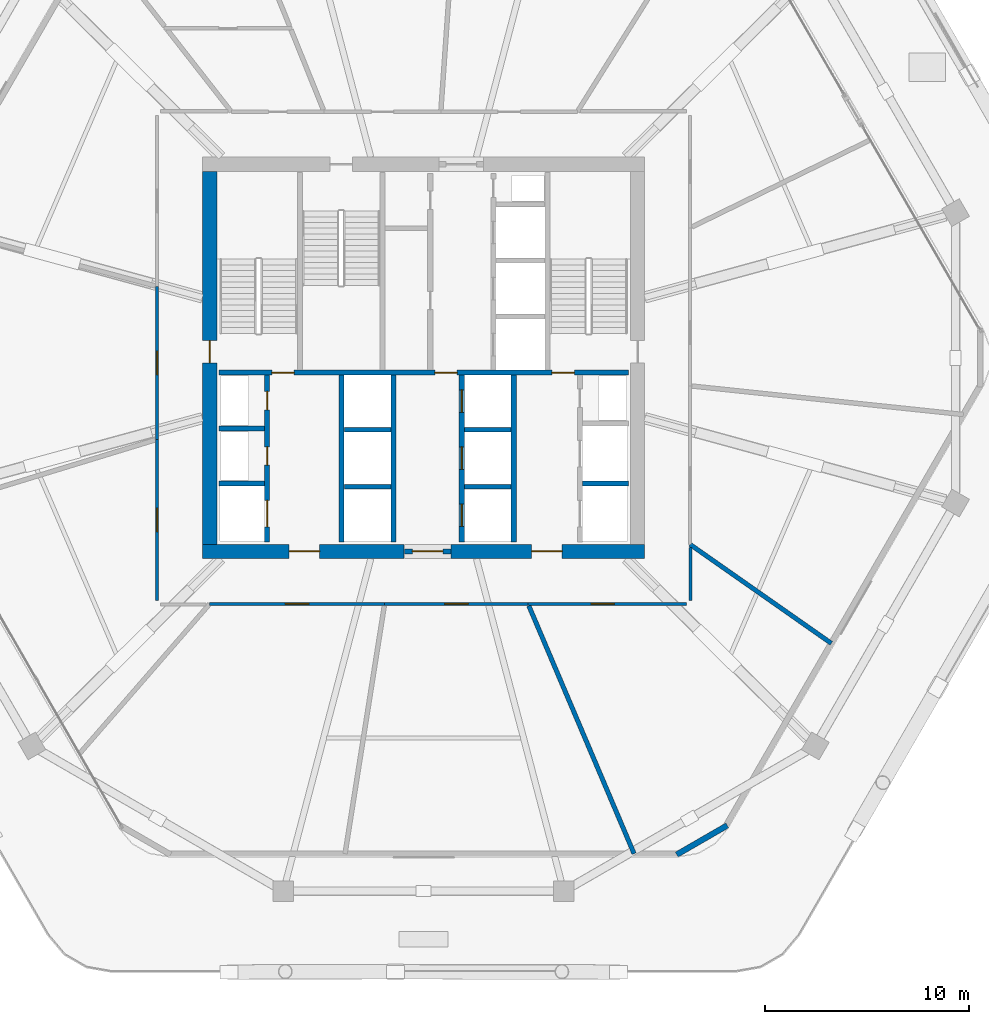
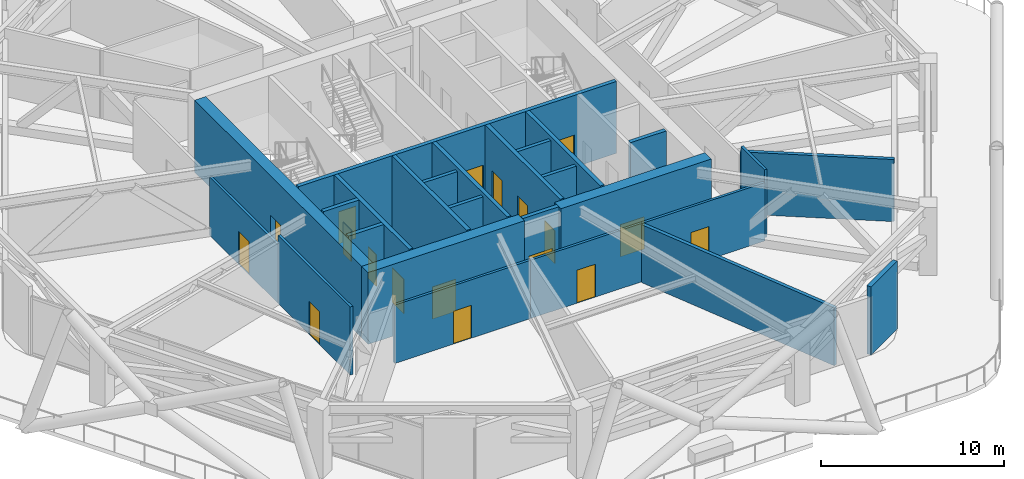
# One storey, part 13 of 20: 26 walls, 18 doors, 18 openings.
"""IFC4 building model written with IfcOpenShell, lengths in metres."""

from ifc_helpers import new_model, si_unit, direction, frame, frame_2d, origin, place, context, subcontext, project, spatial, rectangle, extrude, material, layer, layer_set, type_object, element, fill, save


model = new_model("IFC4")

# Units and contexts
model_context = context("Model", 3, precision=1e-05, world=origin(), true_north=direction((0.0, 1.0)))
body_context = subcontext(model_context, "Body", "Model", "MODEL_VIEW")
ifc_project = project(units=[si_unit("LENGTHUNIT", "METRE"), si_unit("AREAUNIT", "SQUARE_METRE"), si_unit("VOLUMEUNIT", "CUBIC_METRE"), si_unit("PLANEANGLEUNIT", "RADIAN"), si_unit("MASSUNIT", "GRAM", prefix="KILO")], contexts=[model_context])

# Site, building, storey
site_placement = place(None, origin())
site = spatial("IfcSite", under=ifc_project, at=site_placement, CompositionType="ELEMENT")
building_placement = place(site_placement, origin())
building = spatial("IfcBuilding", under=site, at=building_placement, Name="Zuhravey Tower", CompositionType="ELEMENT")
storey_placement = place(building_placement, frame((0.0, 0.0, 145.60009765625)))
storey = spatial("IfcBuildingStorey", under=building, at=storey_placement, Name="L36", CompositionType="ELEMENT", Elevation=145.60009765625)

# Wall, opening, door
ifc_material_1 = material(Name="Concrete C60/75", Category="concrete")
ifc_layer_1 = layer(ifc_material_1, 0.699951171875)
ifc_layer_set_1 = layer_set([ifc_layer_1], Name="Concrete C60/75")
wall_type_1 = type_object("IfcWallType", Name="Core Shear Wall 700", PredefinedType="SHEAR", material=ifc_layer_set_1)
wall_1_placement = place(storey_placement, frame((25.14990234375, 22.5, 0.0), z_axis=(0.0, 0.0, 1.0), x_axis=(1.0, 0.0, 0.0)))
wall_1 = element("IfcWall", 1, at=wall_1_placement, inside=storey, type_object=wall_type_1, Name="L36 South-West Core Shear Wall CW70", PredefinedType="SHEAR", context=body_context, shape_type="SweptSolid", body=[
    extrude(rectangle(XDim=9.900146484375, YDim=0.699951171875, at=frame_2d((4.9501953125, 0.0))), origin(), (0.0, 0.0, 1.0), 4.7998046875),
])
opening_1_placement = place(wall_1_placement, frame((4.25, 0.0, 0.0)))
opening_1 = element("IfcOpeningElement", 2, at=opening_1_placement, cuts=wall_1, Name="Opening FFD1", PredefinedType="OPENING", context=body_context, shape_type="SweptSolid", body=[
    extrude(rectangle(XDim=1.5, YDim=2.14990234375, at=frame_2d((0.75, 1.074951171875))), frame((0.0, 0.362060546875, 0.0), z_axis=(0.0, -1.0, 0.0), x_axis=(1.0, 0.0, 0.0)), (0.0, 0.0, 1.0), 0.723876953125),
])
ifc_material_2 = material(Name="Galvanised fire-rated steel leaf", Category="steel")
door_type_1 = type_object("IfcDoorType", Name="Firefighting Lobby Double Door 1500x2150", OperationType="DOUBLE_DOOR_SINGLE_SWING", PredefinedType="DOOR", material=ifc_material_2)
door_1_placement = place(opening_1_placement, origin())
door_1 = element("IfcDoor", 3, at=door_1_placement, inside=storey, type_object=door_type_1, Name="L36 Firefighting Lobby West Door", OperationType="DOUBLE_DOOR_SINGLE_SWING", OverallHeight=2.14990234375, OverallWidth=1.5, PredefinedType="DOOR", context=body_context, shape_type="SweptSolid", body=[
    extrude(rectangle(XDim=1.5, YDim=2.14990234375, at=frame_2d((0.75, 1.074951171875))), frame((0.0, 0.02490234375, 0.0), z_axis=(0.0, -1.0, 0.0), x_axis=(1.0, 0.0, 0.0)), (0.0, 0.0, 1.0), 0.050048828125),
])
fill(opening_1, door_1)

wall_2_placement = place(storey_placement, frame((37.35009765625, 22.5, 0.0), z_axis=(0.0, 0.0, 1.0), x_axis=(1.0, 0.0, 0.0)))
wall_2 = element("IfcWall", 4, at=wall_2_placement, inside=storey, type_object=wall_type_1, Name="L36 South-East Core Shear Wall CW70", PredefinedType="SHEAR", context=body_context, shape_type="SweptSolid", body=[
    extrude(rectangle(XDim=9.5, YDim=0.699951171875, at=frame_2d((4.75, 0.0))), origin(), (0.0, 0.0, 1.0), 4.7998046875),
])
opening_2_placement = place(wall_2_placement, frame((3.949951171875, 0.0, 0.0)))
opening_2 = element("IfcOpeningElement", 5, at=opening_2_placement, cuts=wall_2, Name="Opening FFD1", PredefinedType="OPENING", context=body_context, shape_type="SweptSolid", body=[
    extrude(rectangle(XDim=1.5, YDim=2.14990234375, at=frame_2d((0.75, 1.074951171875))), frame((0.0, 0.362060546875, 0.0), z_axis=(0.0, -1.0, 0.0), x_axis=(1.0, 0.0, 0.0)), (0.0, 0.0, 1.0), 0.723876953125),
])
door_2_placement = place(opening_2_placement, origin())
door_2 = element("IfcDoor", 6, at=door_2_placement, inside=storey, type_object=door_type_1, Name="L36 Firefighting Lobby East Door", OperationType="DOUBLE_DOOR_SINGLE_SWING", OverallHeight=2.14990234375, OverallWidth=1.5, PredefinedType="DOOR", context=body_context, shape_type="SweptSolid", body=[
    extrude(rectangle(XDim=1.5, YDim=2.14990234375, at=frame_2d((0.75, 1.074951171875))), frame((0.0, 0.02490234375, 0.0), z_axis=(0.0, -1.0, 0.0), x_axis=(1.0, 0.0, 0.0)), (0.0, 0.0, 1.0), 0.050048828125),
])
fill(opening_2, door_2)

wall_3_placement = place(storey_placement, frame((25.5, 22.85009765625, 0.0), z_axis=(0.0, 0.0, 1.0), x_axis=(0.0, 1.0, 0.0)))
wall_3 = element("IfcWall", 7, at=wall_3_placement, inside=storey, type_object=wall_type_1, Name="L36 West Core Shear Wall CW70", PredefinedType="SHEAR", context=body_context, shape_type="SweptSolid", body=[
    extrude(rectangle(XDim=18.2998046875, YDim=0.699951171875, at=frame_2d((9.14990234375, 0.0))), origin(), (0.0, 0.0, 1.0), 4.7998046875),
])
opening_3_placement = place(wall_3_placement, frame((8.89990234375, 0.0, 0.0)))
opening_3 = element("IfcOpeningElement", 8, at=opening_3_placement, cuts=wall_3, Name="Opening STD1", PredefinedType="OPENING", context=body_context, shape_type="SweptSolid", body=[
    extrude(rectangle(XDim=1.10009765625, YDim=2.14990234375, at=frame_2d((0.550048828125, 1.074951171875))), frame((0.0, 0.362060546875, 0.0), z_axis=(0.0, -1.0, 0.0), x_axis=(1.0, 0.0, 0.0)), (0.0, 0.0, 1.0), 0.723876953125),
])
door_type_2 = type_object("IfcDoorType", Name="Protected Stair Fire Door 1100x2150", OperationType="NOTDEFINED", PredefinedType="USERDEFINED", material=ifc_material_2)
door_3_placement = place(opening_3_placement, frame((1.10009765625, 0.0, 0.0), z_axis=(0.0, 0.0, 1.0), x_axis=(-1.0, 0.0, 0.0)))
door_3 = element("IfcDoor", 9, at=door_3_placement, inside=storey, type_object=door_type_2, Name="L36 Stair ST1 Door", ObjectType="EXITDOOR", OperationType="SINGLE_SWING_RIGHT", OverallHeight=2.14990234375, OverallWidth=1.10009765625, PredefinedType="USERDEFINED", context=body_context, shape_type="SweptSolid", body=[
    extrude(rectangle(XDim=1.10009765625, YDim=2.14990234375, at=frame_2d((0.550048828125, 1.074951171875))), frame((0.0, 0.02490234375, 0.0), z_axis=(0.0, -1.0, 0.0), x_axis=(1.0, 0.0, 0.0)), (0.0, 0.0, 1.0), 0.050048828125),
])
fill(opening_3, door_3)

ifc_material_3 = material(Name="Gypsum fire-rated stud partition")
ifc_layer_2 = layer(ifc_material_3, 0.159912109375)
ifc_layer_set_2 = layer_set([ifc_layer_2], Name="Gypsum fire-rated stud partition")
wall_type_2 = type_object("IfcWallType", Name="Corridor Fire Partition 160", PredefinedType="PARTITIONING", material=ifc_layer_set_2)
wall_4_placement = place(storey_placement, frame((22.919921875, 35.5048828125, 0.0), z_axis=(0.0, 0.0, 1.0), x_axis=(0.0, -1.0, 0.0)))
wall_4 = element("IfcWall", 10, at=wall_4_placement, inside=storey, type_object=wall_type_2, Name="L36 IW16 Partition 024", PredefinedType="PARTITIONING", context=body_context, shape_type="SweptSolid", body=[
    extrude(rectangle(XDim=7.50390625, YDim=0.159912109375, at=frame_2d((3.751953125, 0.0))), origin(), (0.0, 0.0, 1.0), 3.89990234375),
])
opening_4_placement = place(wall_4_placement, frame((3.177001953125, 0.0, 0.0)))
opening_4 = element("IfcOpeningElement", 11, at=opening_4_placement, cuts=wall_4, Name="Opening CLD1", PredefinedType="OPENING", context=body_context, shape_type="SweptSolid", body=[
    extrude(rectangle(XDim=1.14990234375, YDim=2.199951171875, at=frame_2d((0.574951171875, 1.10009765625))), frame((0.0, 0.092041015625, 0.0), z_axis=(0.0, -1.0, 0.0), x_axis=(1.0, 0.0, 0.0)), (0.0, 0.0, 1.0), 0.183837890625),
])
ifc_material_4 = material(Name="Acoustic timber leaf with vision lite", Category="wood")
door_type_3 = type_object("IfcDoorType", Name="Classroom Acoustic Door 1150x2200", OperationType="NOTDEFINED", PredefinedType="DOOR", material=ifc_material_4)
door_4_placement = place(opening_4_placement, frame((1.14990234375, 0.0, 0.0), z_axis=(0.0, 0.0, 1.0), x_axis=(-1.0, 0.0, 0.0)))
door_4 = element("IfcDoor", 12, at=door_4_placement, inside=storey, type_object=door_type_3, Name="L36 Door 024.1", OperationType="SINGLE_SWING_LEFT", OverallHeight=2.199951171875, OverallWidth=1.14990234375, PredefinedType="DOOR", context=body_context, shape_type="SweptSolid", body=[
    extrude(rectangle(XDim=1.14990234375, YDim=2.199951171875, at=frame_2d((0.574951171875, 1.10009765625))), frame((0.0, 0.02490234375, 0.0), z_axis=(0.0, -1.0, 0.0), x_axis=(1.0, 0.0, 0.0)), (0.0, 0.0, 1.0), 0.050048828125),
])
fill(opening_4, door_4)

wall_5_placement = place(storey_placement, frame((22.919921875, 28.0009765625, 0.0), z_axis=(0.0, 0.0, 1.0), x_axis=(0.0, -1.0, 0.0)))
wall_5 = element("IfcWall", 13, at=wall_5_placement, inside=storey, type_object=wall_type_2, Name="L36 IW16 Partition 025", PredefinedType="PARTITIONING", context=body_context, shape_type="SweptSolid", body=[
    extrude(rectangle(XDim=7.90087890625, YDim=0.159912109375, at=frame_2d((3.950439453125, 0.0))), origin(), (0.0, 0.0, 1.0), 4.5498046875),
])
opening_5_placement = place(wall_5_placement, frame((3.37548828125, 0.0, 0.0)))
opening_5 = element("IfcOpeningElement", 14, at=opening_5_placement, cuts=wall_5, Name="Opening CLD1", PredefinedType="OPENING", context=body_context, shape_type="SweptSolid", body=[
    extrude(rectangle(XDim=1.14990234375, YDim=2.199951171875, at=frame_2d((0.574951171875, 1.10009765625))), frame((0.0, 0.092041015625, 0.0), z_axis=(0.0, -1.0, 0.0), x_axis=(1.0, 0.0, 0.0)), (0.0, 0.0, 1.0), 0.183837890625),
])
door_5_placement = place(opening_5_placement, frame((1.14990234375, 0.0, 0.0), z_axis=(0.0, 0.0, 1.0), x_axis=(-1.0, 0.0, 0.0)))
door_5 = element("IfcDoor", 15, at=door_5_placement, inside=storey, type_object=door_type_3, Name="L36 Door 025.1", OperationType="SINGLE_SWING_RIGHT", OverallHeight=2.199951171875, OverallWidth=1.14990234375, PredefinedType="DOOR", context=body_context, shape_type="SweptSolid", body=[
    extrude(rectangle(XDim=1.14990234375, YDim=2.199951171875, at=frame_2d((0.574951171875, 1.10009765625))), frame((0.0, 0.02490234375, 0.0), z_axis=(0.0, -1.0, 0.0), x_axis=(1.0, 0.0, 0.0)), (0.0, 0.0, 1.0), 0.050048828125),
])
fill(opening_5, door_5)

wall_6_placement = place(storey_placement, frame((25.4990234375, 19.919921875, 0.0), z_axis=(0.0, 0.0, 1.0), x_axis=(1.0, 0.0, 0.0)))
wall_6 = element("IfcWall", 16, at=wall_6_placement, inside=storey, type_object=wall_type_2, Name="L36 IW16 Partition 026", PredefinedType="PARTITIONING", context=body_context, shape_type="SweptSolid", body=[
    extrude(rectangle(XDim=8.587646484375, YDim=0.159912109375, at=frame_2d((4.2939453125, 0.0))), origin(), (0.0, 0.0, 1.0), 3.89990234375),
])
opening_6_placement = place(wall_6_placement, frame((3.718994140625, 0.0, 0.0)))
opening_6 = element("IfcOpeningElement", 17, at=opening_6_placement, cuts=wall_6, Name="Opening CLD1", PredefinedType="OPENING", context=body_context, shape_type="SweptSolid", body=[
    extrude(rectangle(XDim=1.14990234375, YDim=2.199951171875, at=frame_2d((0.574951171875, 1.10009765625))), frame((0.0, 0.092041015625, 0.0), z_axis=(0.0, -1.0, 0.0), x_axis=(1.0, 0.0, 0.0)), (0.0, 0.0, 1.0), 0.183837890625),
])
door_6_placement = place(opening_6_placement, frame((1.14990234375, 0.0, 0.0), z_axis=(0.0, 0.0, 1.0), x_axis=(-1.0, 0.0, 0.0)))
door_6 = element("IfcDoor", 18, at=door_6_placement, inside=storey, type_object=door_type_3, Name="L36 Door 026.1", OperationType="SINGLE_SWING_LEFT", OverallHeight=2.199951171875, OverallWidth=1.14990234375, PredefinedType="DOOR", context=body_context, shape_type="SweptSolid", body=[
    extrude(rectangle(XDim=1.14990234375, YDim=2.199951171875, at=frame_2d((0.574951171875, 1.10009765625))), frame((0.0, 0.02490234375, 0.0), z_axis=(0.0, -1.0, 0.0), x_axis=(1.0, 0.0, 0.0)), (0.0, 0.0, 1.0), 0.050048828125),
])
fill(opening_6, door_6)

wall_7_placement = place(storey_placement, frame((34.086669921875, 19.919921875, 0.0), z_axis=(0.0, 0.0, 1.0), x_axis=(1.0, 0.0, 0.0)))
wall_7 = element("IfcWall", 19, at=wall_7_placement, inside=storey, type_object=wall_type_2, Name="L36 IW16 Partition 027", PredefinedType="PARTITIONING", context=body_context, shape_type="SweptSolid", body=[
    extrude(rectangle(XDim=7.041015625, YDim=0.159912109375, at=frame_2d((3.5205078125, 0.0))), origin(), (0.0, 0.0, 1.0), 3.89990234375),
])
opening_7_placement = place(wall_7_placement, frame((2.945556640625, 0.0, 0.0)))
opening_7 = element("IfcOpeningElement", 20, at=opening_7_placement, cuts=wall_7, Name="Opening CLD1", PredefinedType="OPENING", context=body_context, shape_type="SweptSolid", body=[
    extrude(rectangle(XDim=1.14990234375, YDim=2.199951171875, at=frame_2d((0.574951171875, 1.10009765625))), frame((0.0, 0.092041015625, 0.0), z_axis=(0.0, -1.0, 0.0), x_axis=(1.0, 0.0, 0.0)), (0.0, 0.0, 1.0), 0.183837890625),
])
door_7_placement = place(opening_7_placement, frame((1.14990234375, 0.0, 0.0), z_axis=(0.0, 0.0, 1.0), x_axis=(-1.0, 0.0, 0.0)))
door_7 = element("IfcDoor", 21, at=door_7_placement, inside=storey, type_object=door_type_3, Name="L36 Door 027.1", OperationType="SINGLE_SWING_RIGHT", OverallHeight=2.199951171875, OverallWidth=1.14990234375, PredefinedType="DOOR", context=body_context, shape_type="SweptSolid", body=[
    extrude(rectangle(XDim=1.14990234375, YDim=2.199951171875, at=frame_2d((0.574951171875, 1.10009765625))), frame((0.0, 0.02490234375, 0.0), z_axis=(0.0, -1.0, 0.0), x_axis=(1.0, 0.0, 0.0)), (0.0, 0.0, 1.0), 0.050048828125),
])
fill(opening_7, door_7)

wall_8_placement = place(storey_placement, frame((41.127685546875, 19.919921875, 0.0), z_axis=(0.0, 0.0, 1.0), x_axis=(1.0, 0.0, 0.0)))
wall_8 = element("IfcWall", 22, at=wall_8_placement, inside=storey, type_object=wall_type_2, Name="L36 IW16 Partition 028", PredefinedType="PARTITIONING", context=body_context, shape_type="SweptSolid", body=[
    extrude(rectangle(XDim=7.772216796875, YDim=0.159912109375, at=frame_2d((3.88623046875, 0.0))), origin(), (0.0, 0.0, 1.0), 3.89990234375),
])
opening_8_placement = place(wall_8_placement, frame((3.09130859375, 0.0, 0.0)))
opening_8 = element("IfcOpeningElement", 23, at=opening_8_placement, cuts=wall_8, Name="Opening CLD1", PredefinedType="OPENING", context=body_context, shape_type="SweptSolid", body=[
    extrude(rectangle(XDim=1.14990234375, YDim=2.199951171875, at=frame_2d((0.574951171875, 1.10009765625))), frame((0.0, 0.092041015625, 0.0), z_axis=(0.0, -1.0, 0.0), x_axis=(1.0, 0.0, 0.0)), (0.0, 0.0, 1.0), 0.183837890625),
])
door_8_placement = place(opening_8_placement, frame((1.14990234375, 0.0, 0.0), z_axis=(0.0, 0.0, 1.0), x_axis=(-1.0, 0.0, 0.0)))
door_8 = element("IfcDoor", 24, at=door_8_placement, inside=storey, type_object=door_type_3, Name="L36 Door 028.1", OperationType="SINGLE_SWING_LEFT", OverallHeight=2.199951171875, OverallWidth=1.14990234375, PredefinedType="DOOR", context=body_context, shape_type="SweptSolid", body=[
    extrude(rectangle(XDim=1.14990234375, YDim=2.199951171875, at=frame_2d((0.574951171875, 1.10009765625))), frame((0.0, 0.02490234375, 0.0), z_axis=(0.0, -1.0, 0.0), x_axis=(1.0, 0.0, 0.0)), (0.0, 0.0, 1.0), 0.050048828125),
])
fill(opening_8, door_8)

# Walls
wall_9_placement = place(storey_placement, frame((49.10009765625, 20.10009765625, 0.0), z_axis=(0.0, 0.0, 1.0), x_axis=(0.0, 1.0, 0.0)))
element("IfcWall", 25, at=wall_9_placement, inside=storey, type_object=wall_type_2, Name="L36 IW16 Partition 056", PredefinedType="PARTITIONING", context=body_context, shape_type="SweptSolid", body=[
    extrude(rectangle(XDim=2.5830078125, YDim=0.159912109375, at=frame_2d((1.29150390625, 0.0))), origin(), (0.0, 0.0, 1.0), 4.5498046875),
])
ifc_material_5 = material(Name="Precast concrete C40/50", Category="concrete")
ifc_layer_3 = layer(ifc_material_5, 0.280029296875)
ifc_layer_set_3 = layer_set([ifc_layer_3], Name="Precast concrete C40/50")
wall_type_3 = type_object("IfcWallType", Name="Crown Architectural Wall 280", PredefinedType="SOLIDWALL", material=ifc_layer_set_3)
wall_10_placement = place(storey_placement, frame((50.9033203125, 9.052001953125, 0.0), z_axis=(0.0, 0.0, 1.0), x_axis=(-0.866011042223, -0.500024874128, 0.0)))
element("IfcWall", 26, at=wall_10_placement, inside=storey, type_object=wall_type_3, Name="L36 Rounded Corner Closure Wall EW28-02", PredefinedType="SOLIDWALL", context=body_context, shape_type="SweptSolid", body=[
    extrude(rectangle(XDim=2.864990234375, YDim=0.280029296875, at=frame_2d((1.4326171875, 0.0))), origin(), (0.0, 0.0, 1.0), 4.5498046875),
])

# Wall, opening, door
ifc_material_6 = material(Name="Concrete C50/60", Category="concrete")
ifc_layer_4 = layer(ifc_material_6, 0.25)
ifc_layer_set_4 = layer_set([ifc_layer_4], Name="Concrete C50/60")
wall_type_4 = type_object("IfcWallType", Name="Firefighting Shaft & Stair Wall 250", PredefinedType="SOLIDWALL", material=ifc_layer_set_4)
wall_11_placement = place(storey_placement, frame((35.06005859375, 22.5, 0.0), z_axis=(0.0, 0.0, 1.0), x_axis=(1.0, 0.0, 0.0)))
wall_11 = element("IfcWall", 27, at=wall_11_placement, inside=storey, type_object=wall_type_4, Name="L36 FW25 Shaft Wall 001", PredefinedType="SOLIDWALL", context=body_context, shape_type="SweptSolid", body=[
    extrude(rectangle(XDim=2.280029296875, YDim=0.25, at=frame_2d((1.14013671875, 0.0))), origin(), (0.0, 0.0, 1.0), 4.7998046875),
])
opening_9_placement = place(wall_11_placement, frame((0.389892578125, 0.0, 0.0)))
opening_9 = element("IfcOpeningElement", 28, at=opening_9_placement, cuts=wall_11, Name="Opening FFD1", PredefinedType="OPENING", context=body_context, shape_type="SweptSolid", body=[
    extrude(rectangle(XDim=1.5, YDim=2.14990234375, at=frame_2d((0.75, 1.074951171875))), frame((0.0, 0.136962890625, 0.0), z_axis=(0.0, -1.0, 0.0), x_axis=(1.0, 0.0, 0.0)), (0.0, 0.0, 1.0), 0.27392578125),
])
door_9_placement = place(opening_9_placement, frame((1.5, 0.0, 0.0), z_axis=(0.0, 0.0, 1.0), x_axis=(-1.0, 0.0, 0.0)))
door_9 = element("IfcDoor", 29, at=door_9_placement, inside=storey, type_object=door_type_1, Name="L36 South Lift Lobby Exit Door", OperationType="DOUBLE_DOOR_SINGLE_SWING", OverallHeight=2.14990234375, OverallWidth=1.5, PredefinedType="DOOR", context=body_context, shape_type="SweptSolid", body=[
    extrude(rectangle(XDim=1.5, YDim=2.14990234375, at=frame_2d((0.75, 1.074951171875))), frame((0.0, 0.02490234375, 0.0), z_axis=(0.0, -1.0, 0.0), x_axis=(1.0, 0.0, 0.0)), (0.0, 0.0, 1.0), 0.050048828125),
])
fill(opening_9, door_9)

# Wall, openings, doors
wall_12_placement = place(storey_placement, frame((25.949951171875, 31.27490234375, 0.0), z_axis=(0.0, 0.0, 1.0), x_axis=(1.0, 0.0, 0.0)))
wall_12 = element("IfcWall", 30, at=wall_12_placement, inside=storey, type_object=wall_type_4, Name="L36 FW25 Shaft Wall 003", PredefinedType="SOLIDWALL", context=body_context, shape_type="SweptSolid", body=[
    extrude(rectangle(XDim=20.10009765625, YDim=0.25, at=frame_2d((10.050048828125, 0.0))), origin(), (0.0, 0.0, 1.0), 4.7998046875),
])
opening_10_placement = place(wall_12_placement, frame((2.60009765625, 0.0, 0.0)))
opening_10 = element("IfcOpeningElement", 31, at=opening_10_placement, cuts=wall_12, Name="Opening STD1", PredefinedType="OPENING", context=body_context, shape_type="SweptSolid", body=[
    extrude(rectangle(XDim=1.10009765625, YDim=2.14990234375, at=frame_2d((0.550048828125, 1.074951171875))), frame((0.0, 0.136962890625, 0.0), z_axis=(0.0, -1.0, 0.0), x_axis=(1.0, 0.0, 0.0)), (0.0, 0.0, 1.0), 0.27392578125),
])
opening_11_placement = place(wall_12_placement, frame((10.60009765625, 0.0, 0.0)))
opening_11 = element("IfcOpeningElement", 32, at=opening_11_placement, cuts=wall_12, Name="Opening STD1", PredefinedType="OPENING", context=body_context, shape_type="SweptSolid", body=[
    extrude(rectangle(XDim=1.10009765625, YDim=2.14990234375, at=frame_2d((0.550048828125, 1.074951171875))), frame((0.0, 0.136962890625, 0.0), z_axis=(0.0, -1.0, 0.0), x_axis=(1.0, 0.0, 0.0)), (0.0, 0.0, 1.0), 0.27392578125),
])
opening_12_placement = place(wall_12_placement, frame((16.35009765625, 0.0, 0.0)))
opening_12 = element("IfcOpeningElement", 33, at=opening_12_placement, cuts=wall_12, Name="Opening STD1", PredefinedType="OPENING", context=body_context, shape_type="SweptSolid", body=[
    extrude(rectangle(XDim=1.10009765625, YDim=2.14990234375, at=frame_2d((0.550048828125, 1.074951171875))), frame((0.0, 0.136962890625, 0.0), z_axis=(0.0, -1.0, 0.0), x_axis=(1.0, 0.0, 0.0)), (0.0, 0.0, 1.0), 0.27392578125),
])
door_10_placement = place(opening_10_placement, origin())
door_10 = element("IfcDoor", 34, at=door_10_placement, inside=storey, type_object=door_type_2, Name="L36 FFL-W to ST1 Door", ObjectType="EXITDOOR", OperationType="SINGLE_SWING_LEFT", OverallHeight=2.14990234375, OverallWidth=1.10009765625, PredefinedType="USERDEFINED", context=body_context, shape_type="SweptSolid", body=[
    extrude(rectangle(XDim=1.10009765625, YDim=2.14990234375, at=frame_2d((0.550048828125, 1.074951171875))), frame((0.0, 0.02490234375, 0.0), z_axis=(0.0, -1.0, 0.0), x_axis=(1.0, 0.0, 0.0)), (0.0, 0.0, 1.0), 0.050048828125),
])
fill(opening_10, door_10)
door_11_placement = place(opening_11_placement, origin())
door_11 = element("IfcDoor", 35, at=door_11_placement, inside=storey, type_object=door_type_2, Name="L36 Core Lobby Link Door", ObjectType="EXITDOOR", OperationType="SINGLE_SWING_RIGHT", OverallHeight=2.14990234375, OverallWidth=1.10009765625, PredefinedType="USERDEFINED", context=body_context, shape_type="SweptSolid", body=[
    extrude(rectangle(XDim=1.10009765625, YDim=2.14990234375, at=frame_2d((0.550048828125, 1.074951171875))), frame((0.0, 0.02490234375, 0.0), z_axis=(0.0, -1.0, 0.0), x_axis=(1.0, 0.0, 0.0)), (0.0, 0.0, 1.0), 0.050048828125),
])
fill(opening_11, door_11)
door_12_placement = place(opening_12_placement, origin())
door_12 = element("IfcDoor", 36, at=door_12_placement, inside=storey, type_object=door_type_2, Name="L36 FFL-E to ST2 Door", ObjectType="EXITDOOR", OperationType="SINGLE_SWING_LEFT", OverallHeight=2.14990234375, OverallWidth=1.10009765625, PredefinedType="USERDEFINED", context=body_context, shape_type="SweptSolid", body=[
    extrude(rectangle(XDim=1.10009765625, YDim=2.14990234375, at=frame_2d((0.550048828125, 1.074951171875))), frame((0.0, 0.02490234375, 0.0), z_axis=(0.0, -1.0, 0.0), x_axis=(1.0, 0.0, 0.0)), (0.0, 0.0, 1.0), 0.050048828125),
])
fill(opening_12, door_12)

# Walls
for number, where, z_axis, x_axis, name in (
    (37, (25.949951171875, 25.824951171875, 0.0), (0.0, 0.0, 1.0), (1.0, 0.0, 0.0), "L36 FW25 Shaft Wall 009"),
    (38, (25.949951171875, 28.52490234375, 0.0), (0.0, 0.0, 1.0), (1.0, 0.0, 0.0), "L36 FW25 Shaft Wall 010"),
):
    element("IfcWall", number, at=place(storey_placement, frame(where, z_axis=z_axis, x_axis=x_axis)), inside=storey, type_object=wall_type_4, Name=name, PredefinedType="SOLIDWALL", context=body_context, shape_type="SweptSolid", body=[
        extrude(rectangle(XDim=2.25, YDim=0.25, at=frame_2d((1.125, 0.0))), origin(), (0.0, 0.0, 1.0), 4.7998046875),
    ])

# Wall, openings, doors
wall_13_placement = place(storey_placement, frame((28.324951171875, 22.949951171875, 0.0), z_axis=(0.0, 0.0, 1.0), x_axis=(0.0, 1.0, 0.0)))
wall_13 = element("IfcWall", 39, at=wall_13_placement, inside=storey, type_object=wall_type_4, Name="L36 FW25 Shaft Wall 011", PredefinedType="SOLIDWALL", context=body_context, shape_type="SweptSolid", body=[
    extrude(rectangle(XDim=8.199951171875, YDim=0.25, at=frame_2d((4.10009765625, 0.0))), origin(), (0.0, 0.0, 1.0), 4.7998046875),
])
opening_13_placement = place(wall_13_placement, frame((0.75, 0.0, 0.0)))
opening_13 = element("IfcOpeningElement", 40, at=opening_13_placement, cuts=wall_13, Name="Opening LD2", PredefinedType="OPENING", context=body_context, shape_type="SweptSolid", body=[
    extrude(rectangle(XDim=1.300048828125, YDim=2.300048828125, at=frame_2d((0.64990234375, 1.14990234375))), frame((0.0, 0.136962890625, 0.0), z_axis=(0.0, -1.0, 0.0), x_axis=(1.0, 0.0, 0.0)), (0.0, 0.0, 1.0), 0.27392578125),
])
opening_14_placement = place(wall_13_placement, frame((3.780029296875, 0.0, 0.0)))
opening_14 = element("IfcOpeningElement", 41, at=opening_14_placement, cuts=wall_13, Name="Opening RSD1", PredefinedType="OPENING", context=body_context, shape_type="SweptSolid", body=[
    extrude(rectangle(XDim=0.89990234375, YDim=2.10009765625, at=frame_2d((0.449951171875, 1.050048828125))), frame((0.0, 0.136962890625, 0.0), z_axis=(0.0, -1.0, 0.0), x_axis=(1.0, 0.0, 0.0)), (0.0, 0.0, 1.0), 0.27392578125),
])
opening_15_placement = place(wall_13_placement, frame((6.5, 0.0, 0.0)))
opening_15 = element("IfcOpeningElement", 42, at=opening_15_placement, cuts=wall_13, Name="Opening RSD1", PredefinedType="OPENING", context=body_context, shape_type="SweptSolid", body=[
    extrude(rectangle(XDim=0.89990234375, YDim=2.10009765625, at=frame_2d((0.449951171875, 1.050048828125))), frame((0.0, 0.136962890625, 0.0), z_axis=(0.0, -1.0, 0.0), x_axis=(1.0, 0.0, 0.0)), (0.0, 0.0, 1.0), 0.27392578125),
])
ifc_material_7 = material(Name="Brushed stainless steel", Category="steel")
door_type_4 = type_object("IfcDoorType", Name="Freight & Stretcher Lift Sliding Door 1300x2300", OperationType="DOUBLE_DOOR_SLIDING", PredefinedType="DOOR", material=ifc_material_7)
door_13_placement = place(opening_13_placement, frame((1.300048828125, 0.0, 0.0), z_axis=(0.0, 0.0, 1.0), x_axis=(-1.0, 0.0, 0.0)))
door_13 = element("IfcDoor", 43, at=door_13_placement, inside=storey, type_object=door_type_4, Name="L36 Lift FF1 Landing Door", OperationType="DOUBLE_DOOR_SLIDING", OverallHeight=2.300048828125, OverallWidth=1.300048828125, PredefinedType="DOOR", context=body_context, shape_type="SweptSolid", body=[
    extrude(rectangle(XDim=1.300048828125, YDim=2.300048828125, at=frame_2d((0.64990234375, 1.14990234375))), frame((0.0, 0.02490234375, 0.0), z_axis=(0.0, -1.0, 0.0), x_axis=(1.0, 0.0, 0.0)), (0.0, 0.0, 1.0), 0.050048828125),
])
fill(opening_13, door_13)
ifc_material_8 = material(Name="Galvanised fire-rated steel access leaf", Category="steel")
door_type_5 = type_object("IfcDoorType", Name="Riser & Shaft Access Fire Door 900x2100", OperationType="NOTDEFINED", PredefinedType="DOOR", material=ifc_material_8)
door_14_placement = place(opening_14_placement, frame((0.89990234375, 0.0, 0.0), z_axis=(0.0, 0.0, 1.0), x_axis=(-1.0, 0.0, 0.0)))
door_14 = element("IfcDoor", 44, at=door_14_placement, inside=storey, type_object=door_type_5, Name="L36 Electrical Riser Door", OperationType="SINGLE_SWING_LEFT", OverallHeight=2.10009765625, OverallWidth=0.89990234375, PredefinedType="DOOR", context=body_context, shape_type="SweptSolid", body=[
    extrude(rectangle(XDim=0.89990234375, YDim=2.10009765625, at=frame_2d((0.449951171875, 1.050048828125))), frame((0.0, 0.02490234375, 0.0), z_axis=(0.0, -1.0, 0.0), x_axis=(1.0, 0.0, 0.0)), (0.0, 0.0, 1.0), 0.050048828125),
])
fill(opening_14, door_14)
door_15_placement = place(opening_15_placement, frame((0.89990234375, 0.0, 0.0), z_axis=(0.0, 0.0, 1.0), x_axis=(-1.0, 0.0, 0.0)))
door_15 = element("IfcDoor", 45, at=door_15_placement, inside=storey, type_object=door_type_5, Name="L36 Smoke Shaft Access Door", OperationType="SINGLE_SWING_RIGHT", OverallHeight=2.10009765625, OverallWidth=0.89990234375, PredefinedType="DOOR", context=body_context, shape_type="SweptSolid", body=[
    extrude(rectangle(XDim=0.89990234375, YDim=2.10009765625, at=frame_2d((0.449951171875, 1.050048828125))), frame((0.0, 0.02490234375, 0.0), z_axis=(0.0, -1.0, 0.0), x_axis=(1.0, 0.0, 0.0)), (0.0, 0.0, 1.0), 0.050048828125),
])
fill(opening_15, door_15)

# Walls
for number, where, z_axis, x_axis, name in (
    (46, (31.97509765625, 22.949951171875, 0.0), (0.0, 0.0, 1.0), (0.0, 1.0, 0.0), "L36 FW25 Shaft Wall 012"),
    (47, (34.52490234375, 22.949951171875, 0.0), (0.0, 0.0, 1.0), (0.0, 1.0, 0.0), "L36 FW25 Shaft Wall 013"),
):
    element("IfcWall", number, at=place(storey_placement, frame(where, z_axis=z_axis, x_axis=x_axis)), inside=storey, type_object=wall_type_4, Name=name, PredefinedType="SOLIDWALL", context=body_context, shape_type="SweptSolid", body=[
        extrude(rectangle(XDim=8.199951171875, YDim=0.25, at=frame_2d((4.10009765625, 0.0))), origin(), (0.0, 0.0, 1.0), 4.7998046875),
    ])

# Wall, openings, doors
wall_14_placement = place(storey_placement, frame((37.875, 22.949951171875, 0.0), z_axis=(0.0, 0.0, 1.0), x_axis=(0.0, 1.0, 0.0)))
wall_14 = element("IfcWall", 48, at=wall_14_placement, inside=storey, type_object=wall_type_4, Name="L36 FW25 Shaft Wall 014", PredefinedType="SOLIDWALL", context=body_context, shape_type="SweptSolid", body=[
    extrude(rectangle(XDim=8.199951171875, YDim=0.25, at=frame_2d((4.10009765625, 0.0))), origin(), (0.0, 0.0, 1.0), 4.7998046875),
])
opening_16_placement = place(wall_14_placement, frame((0.77490234375, 0.0, 0.0)))
opening_16 = element("IfcOpeningElement", 49, at=opening_16_placement, cuts=wall_14, Name="Opening LD1", PredefinedType="OPENING", context=body_context, shape_type="SweptSolid", body=[
    extrude(rectangle(XDim=1.10009765625, YDim=2.199951171875, at=frame_2d((0.550048828125, 1.10009765625))), frame((0.0, 0.136962890625, 0.0), z_axis=(0.0, -1.0, 0.0), x_axis=(1.0, 0.0, 0.0)), (0.0, 0.0, 1.0), 0.27392578125),
])
opening_17_placement = place(wall_14_placement, frame((3.574951171875, 0.0, 0.0)))
opening_17 = element("IfcOpeningElement", 50, at=opening_17_placement, cuts=wall_14, Name="Opening LD1", PredefinedType="OPENING", context=body_context, shape_type="SweptSolid", body=[
    extrude(rectangle(XDim=1.10009765625, YDim=2.199951171875, at=frame_2d((0.550048828125, 1.10009765625))), frame((0.0, 0.136962890625, 0.0), z_axis=(0.0, -1.0, 0.0), x_axis=(1.0, 0.0, 0.0)), (0.0, 0.0, 1.0), 0.27392578125),
])
opening_18_placement = place(wall_14_placement, frame((6.375, 0.0, 0.0)))
opening_18 = element("IfcOpeningElement", 51, at=opening_18_placement, cuts=wall_14, Name="Opening LD1", PredefinedType="OPENING", context=body_context, shape_type="SweptSolid", body=[
    extrude(rectangle(XDim=1.10009765625, YDim=2.199951171875, at=frame_2d((0.550048828125, 1.10009765625))), frame((0.0, 0.136962890625, 0.0), z_axis=(0.0, -1.0, 0.0), x_axis=(1.0, 0.0, 0.0)), (0.0, 0.0, 1.0), 0.27392578125),
])
door_type_6 = type_object("IfcDoorType", Name="Lift Landing Sliding Door 1100x2200", OperationType="DOUBLE_DOOR_SLIDING", PredefinedType="DOOR", material=ifc_material_7)
door_16_placement = place(opening_16_placement, origin())
door_16 = element("IfcDoor", 52, at=door_16_placement, inside=storey, type_object=door_type_6, Name="L36 Lift PL4 Landing Door", OperationType="DOUBLE_DOOR_SLIDING", OverallHeight=2.199951171875, OverallWidth=1.10009765625, PredefinedType="DOOR", context=body_context, shape_type="SweptSolid", body=[
    extrude(rectangle(XDim=1.10009765625, YDim=2.199951171875, at=frame_2d((0.550048828125, 1.10009765625))), frame((0.0, 0.02490234375, 0.0), z_axis=(0.0, -1.0, 0.0), x_axis=(1.0, 0.0, 0.0)), (0.0, 0.0, 1.0), 0.050048828125),
])
fill(opening_16, door_16)
door_17_placement = place(opening_17_placement, origin())
door_17 = element("IfcDoor", 53, at=door_17_placement, inside=storey, type_object=door_type_6, Name="L36 Lift PL5 Landing Door", OperationType="DOUBLE_DOOR_SLIDING", OverallHeight=2.199951171875, OverallWidth=1.10009765625, PredefinedType="DOOR", context=body_context, shape_type="SweptSolid", body=[
    extrude(rectangle(XDim=1.10009765625, YDim=2.199951171875, at=frame_2d((0.550048828125, 1.10009765625))), frame((0.0, 0.02490234375, 0.0), z_axis=(0.0, -1.0, 0.0), x_axis=(1.0, 0.0, 0.0)), (0.0, 0.0, 1.0), 0.050048828125),
])
fill(opening_17, door_17)
door_18_placement = place(opening_18_placement, origin())
door_18 = element("IfcDoor", 54, at=door_18_placement, inside=storey, type_object=door_type_6, Name="L36 Lift PL6 Landing Door", OperationType="DOUBLE_DOOR_SLIDING", OverallHeight=2.199951171875, OverallWidth=1.10009765625, PredefinedType="DOOR", context=body_context, shape_type="SweptSolid", body=[
    extrude(rectangle(XDim=1.10009765625, YDim=2.199951171875, at=frame_2d((0.550048828125, 1.10009765625))), frame((0.0, 0.02490234375, 0.0), z_axis=(0.0, -1.0, 0.0), x_axis=(1.0, 0.0, 0.0)), (0.0, 0.0, 1.0), 0.050048828125),
])
fill(opening_18, door_18)

# Walls
wall_15_placement = place(storey_placement, frame((40.425048828125, 22.949951171875, 0.0), z_axis=(0.0, 0.0, 1.0), x_axis=(0.0, 1.0, 0.0)))
element("IfcWall", 55, at=wall_15_placement, inside=storey, type_object=wall_type_4, Name="L36 FW25 Shaft Wall 015", PredefinedType="SOLIDWALL", context=body_context, shape_type="SweptSolid", body=[
    extrude(rectangle(XDim=8.199951171875, YDim=0.25, at=frame_2d((4.10009765625, 0.0))), origin(), (0.0, 0.0, 1.0), 4.7998046875),
])
wall_16_placement = place(storey_placement, frame((43.800048828125, 25.824951171875, 0.0), z_axis=(0.0, 0.0, 1.0), x_axis=(1.0, 0.0, 0.0)))
element("IfcWall", 56, at=wall_16_placement, inside=storey, type_object=wall_type_4, Name="L36 FW25 Shaft Wall 016", PredefinedType="SOLIDWALL", context=body_context, shape_type="SweptSolid", body=[
    extrude(rectangle(XDim=2.25, YDim=0.25, at=frame_2d((1.125, 0.0))), origin(), (0.0, 0.0, 1.0), 4.7998046875),
])
ifc_material_9 = material(Name="Gypsum acoustic stud assembly")
ifc_layer_5 = layer(ifc_material_9, 0.219970703125)
ifc_layer_set_5 = layer_set([ifc_layer_5], Name="Gypsum acoustic stud assembly")
wall_type_5 = type_object("IfcWallType", Name="School Acoustic Compartment Wall 220", PredefinedType="PARTITIONING", material=ifc_layer_set_5)
for number, where, z_axis, x_axis, name in (
    (57, (32.10791015625, 25.675048828125, 0.0), (0.0, 0.0, 1.0), (1.0, 0.0, 0.0), "L36 IW22 Partition 036"),
    (58, (32.10791015625, 28.47509765625, 0.0), (0.0, 0.0, 1.0), (1.0, 0.0, 0.0), "L36 IW22 Partition 037"),
):
    element("IfcWall", number, at=place(storey_placement, frame(where, z_axis=z_axis, x_axis=x_axis)), inside=storey, type_object=wall_type_5, Name=name, PredefinedType="PARTITIONING", context=body_context, shape_type="SweptSolid", body=[
        extrude(rectangle(XDim=2.2841796875, YDim=0.219970703125, at=frame_2d((1.14208984375, 0.0))), origin(), (0.0, 0.0, 1.0), 4.5498046875),
    ])
for number, where, z_axis, x_axis, name in (
    (59, (38.008056640625, 25.675048828125, 0.0), (0.0, 0.0, 1.0), (1.0, 0.0, 0.0), "L36 IW22 Partition 038"),
    (60, (38.008056640625, 28.47509765625, 0.0), (0.0, 0.0, 1.0), (1.0, 0.0, 0.0), "L36 IW22 Partition 039"),
):
    element("IfcWall", number, at=place(storey_placement, frame(where, z_axis=z_axis, x_axis=x_axis)), inside=storey, type_object=wall_type_5, Name=name, PredefinedType="PARTITIONING", context=body_context, shape_type="SweptSolid", body=[
        extrude(rectangle(XDim=2.283935546875, YDim=0.219970703125, at=frame_2d((1.14208984375, 0.0))), origin(), (0.0, 0.0, 1.0), 4.5498046875),
    ])
wall_17_placement = place(storey_placement, frame((41.1650390625, 19.83203125, 0.0), z_axis=(0.0, 0.0, 1.0), x_axis=(0.39073533698, -0.920503067043, 0.0)))
element("IfcWall", 61, at=wall_17_placement, inside=storey, type_object=wall_type_5, Name="L36 IW22 Partition 050", PredefinedType="PARTITIONING", context=body_context, shape_type="SweptSolid", body=[
    extrude(rectangle(XDim=13.215576171875, YDim=0.219970703125, at=frame_2d((6.60791015625, 0.0))), origin(), (0.0, 0.0, 1.0), 3.869873046875),
])
wall_18_placement = place(storey_placement, frame((49.080078125, 22.84130859375, 0.0), z_axis=(0.0, 0.0, 1.0), x_axis=(0.819141055374, -0.573592129828, 0.0)))
element("IfcWall", 62, at=wall_18_placement, inside=storey, type_object=wall_type_5, Name="L36 IW22 Partition 051", PredefinedType="PARTITIONING", context=body_context, shape_type="SweptSolid", body=[
    extrude(rectangle(XDim=8.458251953125, YDim=0.219970703125, at=frame_2d((4.22900390625, 0.0))), origin(), (0.0, 0.0, 1.0), 4.14990234375),
])

save(model, "model.ifc")
